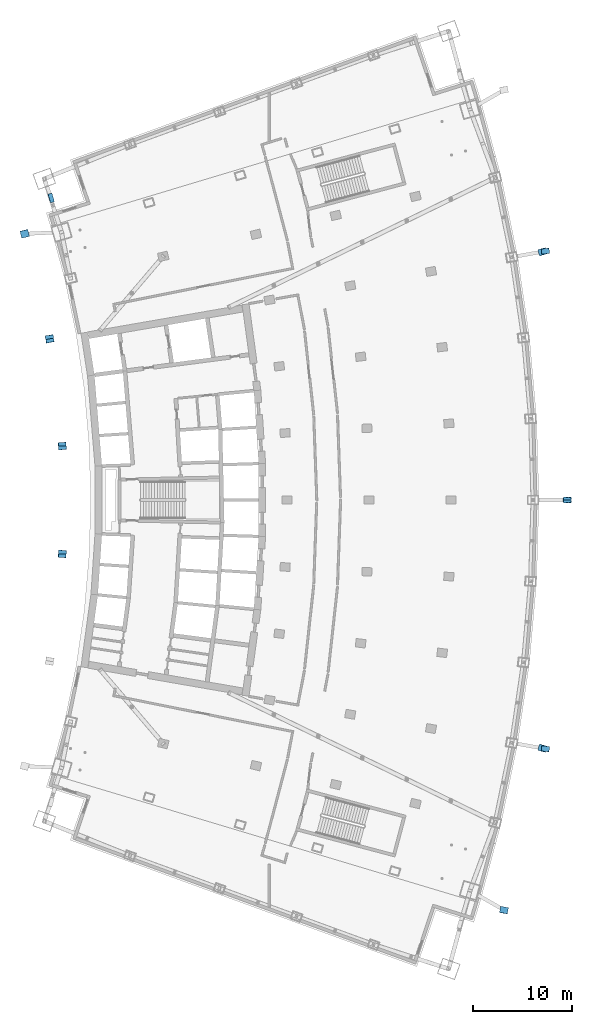
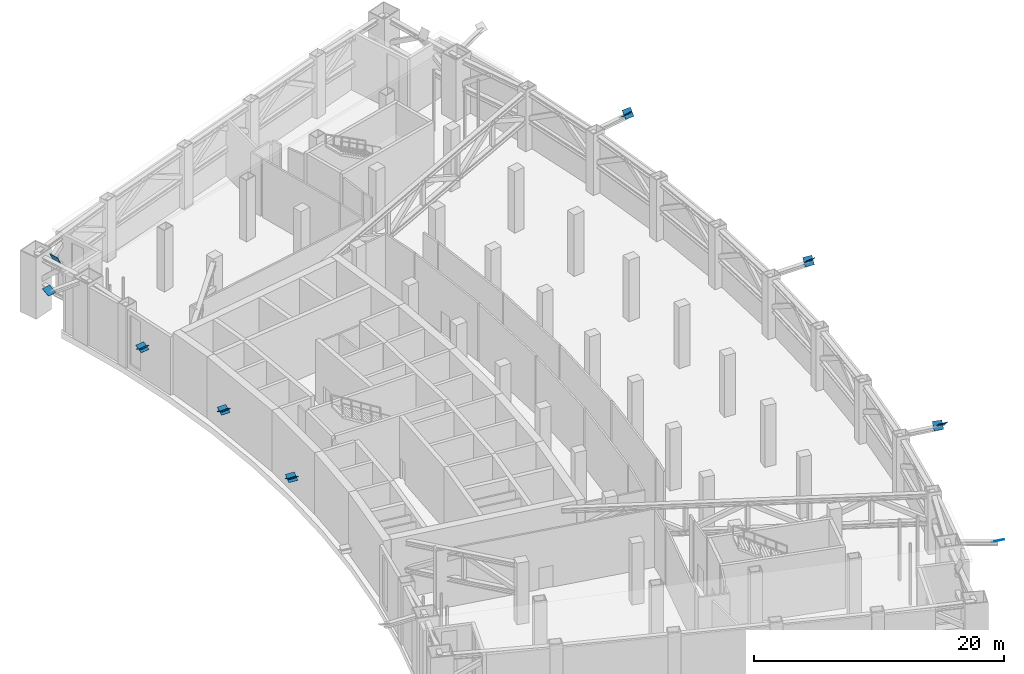
# One storey, part 20 of 26: 15 discrete accessories.
"""IFC4 building model written with IfcOpenShell, lengths in metres."""

from ifc_helpers import new_model, si_unit, direction, frame, origin, origin_2d, place, context, subcontext, project, spatial, rectangle, extrude, material, material_profile, profile_set, type_object, element, save


model = new_model("IFC4")

# Units and contexts
model_context = context("Model", 3, precision=1e-05, world=origin(), true_north=direction((0.0, 1.0)))
body_context = subcontext(model_context, "Body", "Model", "MODEL_VIEW")
ifc_project = project(units=[si_unit("LENGTHUNIT", "METRE"), si_unit("AREAUNIT", "SQUARE_METRE"), si_unit("VOLUMEUNIT", "CUBIC_METRE"), si_unit("PLANEANGLEUNIT", "RADIAN"), si_unit("MASSUNIT", "GRAM", prefix="KILO")], contexts=[model_context])

# Site, building, storey
site_placement = place(None, origin())
site = spatial("IfcSite", under=ifc_project, at=site_placement, CompositionType="ELEMENT")
building_placement = place(site_placement, origin())
building = spatial("IfcBuilding", under=site, at=building_placement, Name="Alderwake Tower", CompositionType="ELEMENT")
storey_placement = place(building_placement, frame((0.0, 0.0, 132.800048828125)))
storey = spatial("IfcBuildingStorey", under=building, at=storey_placement, Name="L32", CompositionType="ELEMENT", Elevation=132.800048828125)

# Discrete accessories
ifc_material_1 = material(Name="Steel ASTM A572 Grade 50", Category="steel")
ifc_material_profile_1 = material_profile(ifc_material_1, rectangle(XDim=0.800048828125, YDim=0.800048828125, at=origin_2d()), Name="BOX 800X800X50 cap")
ifc_profile_set_1 = profile_set([ifc_material_profile_1], Name="Steel ASTM A572 Grade 50")
discrete_accessory_type_1 = type_object("IfcDiscreteAccessoryType", Name="End cap plate BOX 800X800X50", PredefinedType="USERDEFINED", material=ifc_profile_set_1)
for number, where, z_axis, x_axis, name in (
    (1, (57.6689453125, 19.667724609375, 6.0), (-0.114002129998, -0.602582687135, -0.789871900704), (0.982570245697, -0.185891668105, 0.0), "End cap BRF3.1.2A S"),
    (2, (61.544189453125, 35.973876953125, 6.0), (0.17127028554, 0.587212407567, -0.791105604639), (-0.96, 0.28, 0.0), "End cap BRF3.1.2B1 S"),
    (3, (61.839111328125, 35.921630859375, 6.0), (-0.048851577584, -0.757199452547, -0.651354367783), (0.997925308968, -0.064382277998, 0.0), "End cap BRF3.1.4A S"),
    (4, (64.0390625, 61.0, 6.0), (0.089309959981, 0.755075116206, -0.649526981683), (-0.993077521975, 0.117460782169, 0.0), "End cap BRF3.1.4B1 S"),
    (5, (64.0390625, 61.0, 6.0), (0.089309959981, -0.755075116206, -0.649526981683), (0.993077521975, 0.117460782169, 0.0), "End cap BRF3.1.7A S"),
    (6, (61.839111328125, 86.078369140625, 6.0), (-0.048851577584, 0.757199452547, -0.651354367783), (-0.997925308968, -0.064382277998, 0.0), "End cap BRF3.1.7B1 S"),
    (7, (61.544189453125, 86.026123046875, 6.0), (0.17127028554, -0.587212407567, -0.791105604639), (0.96, 0.28, 0.0), "End cap BRF3.1.10A S"),
    (8, (13.141357421875, 55.560546875, 6.0), (0.048728980643, 0.446682322562, -0.893364645123), (-0.994102176608, 0.108447510175, 0.0), "End cap BRR3.1.4B1 S"),
    (9, (13.141357421875, 55.560546875, 6.0), (0.0, -0.4472135955, -0.894427191), (1.0, 0.0, 0.0), "End cap BRR3.1.6A S"),
    (10, (13.141357421875, 66.439453125, 6.0), (0.0, 0.4472135955, -0.894427191), (-1.0, 0.0, 0.0), "End cap BRR3.1.6B1 S"),
    (11, (13.141357421875, 66.439453125, 6.0), (0.048728980643, -0.446682322562, -0.893364645123), (0.994102176608, 0.108447510175, 0.0), "End cap BRR3.1.8A S"),
    (12, (11.875, 77.244384765625, 6.0), (-0.056826119483, 0.446490938798, -0.892981877596), (-0.991997911724, -0.126254279674, 0.0), "End cap BRR3.1.8B1 S"),
    (13, (11.875, 77.244384765625, 6.0), (0.105495990526, -0.438214114494, -0.892658381376), (0.972223637158, 0.234053838575, 0.0), "End cap BRR3.1.10A S"),
    (14, (9.359619140625, 87.828369140625, 6.0), (-0.105869651339, 0.43162242469, -0.895820126716), (-0.971210844098, -0.238221527798, 0.0), "End cap BRR3.1.10B1 S"),
):
    element("IfcDiscreteAccessory", number, at=place(storey_placement, frame(where, z_axis=z_axis, x_axis=x_axis)), inside=storey, type_object=discrete_accessory_type_1, Name=name, ObjectType="END CAP", PredefinedType="USERDEFINED", context=body_context, shape_type="SweptSolid", body=[
        extrude(rectangle(XDim=0.800048828125, YDim=0.800048828125, at=origin_2d()), origin(), (0.0, 0.0, 1.0), 0.030029296875),
    ])
ifc_material_2 = material(Name="Steel ASTM A572 Grade 50", Category="steel")
ifc_material_profile_2 = material_profile(ifc_material_2, rectangle(XDim=0.89990234375, YDim=0.89990234375, at=origin_2d()), Name="BOX 900X900X55 cap")
ifc_profile_set_2 = profile_set([ifc_material_profile_2], Name="Steel ASTM A572 Grade 50")
discrete_accessory_type_2 = type_object("IfcDiscreteAccessoryType", Name="End cap plate BOX 900X900X55", PredefinedType="USERDEFINED", material=ifc_profile_set_2)
discrete_accessory_placement = place(storey_placement, frame((12.031005859375, 91.449462890625, 6.0), z_axis=(-0.851629762001, -0.253851179058, -0.458569871847), x_axis=(0.285656661543, -0.958332025822, 0.0)))
element("IfcDiscreteAccessory", 15, at=discrete_accessory_placement, inside=storey, type_object=discrete_accessory_type_2, Name="End cap BRN3.1.0A S", ObjectType="END CAP", PredefinedType="USERDEFINED", context=body_context, shape_type="SweptSolid", body=[
    extrude(rectangle(XDim=0.89990234375, YDim=0.89990234375, at=origin_2d()), origin(), (0.0, 0.0, 1.0), 0.02978515625),
])

save(model, "model.ifc")
